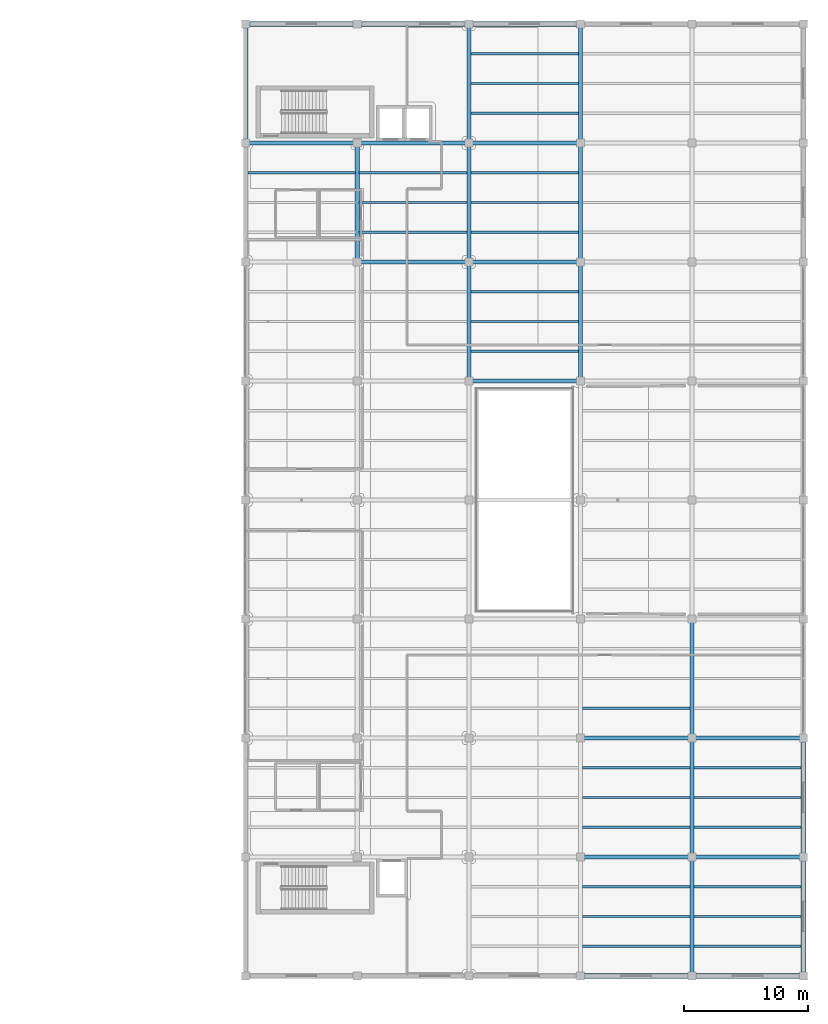
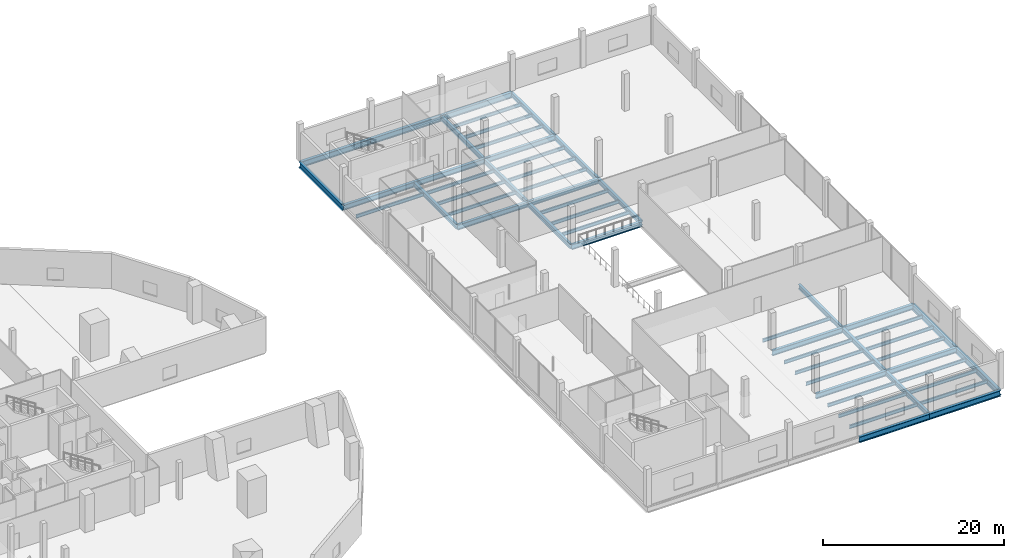
# One storey, part 14 of 46: 54 beams.
"""IFC4 building model written with IfcOpenShell, lengths in metres."""

from ifc_helpers import new_model, si_unit, direction, frame, origin, origin_2d, place, context, subcontext, project, spatial, i_section, extrude, material, material_profile, profile_set, type_object, element, save


model = new_model("IFC4")

# Units and contexts
model_context = context("Model", 3, precision=1e-05, world=origin(), true_north=direction((0.0, 1.0)))
body_context = subcontext(model_context, "Body", "Model", "MODEL_VIEW")
ifc_project = project(units=[si_unit("LENGTHUNIT", "METRE"), si_unit("AREAUNIT", "SQUARE_METRE"), si_unit("VOLUMEUNIT", "CUBIC_METRE"), si_unit("PLANEANGLEUNIT", "RADIAN"), si_unit("MASSUNIT", "GRAM", prefix="KILO")], contexts=[model_context])

# Site, building, storey
site_placement = place(None, origin())
site = spatial("IfcSite", under=ifc_project, at=site_placement, CompositionType="ELEMENT")
building_placement = place(site_placement, origin())
building = spatial("IfcBuilding", under=site, at=building_placement, Name="Qorvath Tower", CompositionType="ELEMENT")
storey_placement = place(building_placement, frame((0.0, 0.0, 17.0)))
storey = spatial("IfcBuildingStorey", under=building, at=storey_placement, Name="L03", CompositionType="ELEMENT", Elevation=17.0)

# Beams
ifc_material_1 = material(Name="Steel ASTM A992 Grade 50", Category="steel")
ifc_material_profile_1 = material_profile(ifc_material_1, i_section(OverallWidth=0.381103515625, OverallDepth=0.77294921875, WebThickness=0.0166015625, FlangeThickness=0.027099609375, FilletRadius=0.01904296875, at=origin_2d()), Name="W30x173")
ifc_profile_set_1 = profile_set([ifc_material_profile_1], Name="Steel ASTM A992 Grade 50")
beam_type_1 = type_object("IfcBeamType", Name="BM-FG3", PredefinedType="BEAM", material=ifc_profile_set_1)
for number, where, z_axis, x_axis, name in (
    (1, (59.39990234375, -38.39990234375, -0.646484375), (1.0, 0.0, 0.0), (0.0, 1.0, 0.0), "Library E-W Girder L03-1-4"),
    (2, (68.39990234375, -38.39990234375, -0.646484375), (1.0, 0.0, 0.0), (0.0, 1.0, 0.0), "Library E-W Girder L03-1-5"),
    (3, (32.39990234375, 38.39990234375, -0.646484375), (1.0, 0.0, 0.0), (0.0, 1.0, 0.0), "Library E-W Girder L03-9-1"),
    (4, (41.39990234375, 38.39990234375, -0.646484375), (1.0, 0.0, 0.0), (0.0, 1.0, 0.0), "Library E-W Girder L03-9-2"),
    (5, (50.39990234375, 38.39990234375, -0.646484375), (1.0, 0.0, 0.0), (0.0, 1.0, 0.0), "Library E-W Girder L03-9-3"),
):
    element("IfcBeam", number, at=place(storey_placement, frame(where, z_axis=z_axis, x_axis=x_axis)), inside=storey, type_object=beam_type_1, Name=name, PredefinedType="BEAM", context=body_context, shape_type="SweptSolid", body=[
        extrude(i_section(OverallWidth=0.381103515625, OverallDepth=0.77294921875, WebThickness=0.0166015625, FlangeThickness=0.027099609375, FilletRadius=0.01904296875, at=origin_2d()), origin(), (0.0, 0.0, 1.0), 9.0),
    ])
for number, where, z_axis, x_axis, name in (
    (6, (32.39990234375, 28.800048828125, -0.646484375), (0.0, 1.0, 0.0), (-1.0, 0.0, 0.0), "Library N-S Girder L03-1-8"),
    (7, (77.39990234375, -38.39990234375, -0.646484375), (0.0, 1.0, 0.0), (-1.0, 0.0, 0.0), "Library N-S Girder L03-6-1"),
):
    element("IfcBeam", number, at=place(storey_placement, frame(where, z_axis=z_axis, x_axis=x_axis)), inside=storey, type_object=beam_type_1, Name=name, PredefinedType="BEAM", context=body_context, shape_type="SweptSolid", body=[
        extrude(i_section(OverallWidth=0.381103515625, OverallDepth=0.77294921875, WebThickness=0.0166015625, FlangeThickness=0.027099609375, FilletRadius=0.01904296875, at=origin_2d()), origin(), (0.0, 0.0, 1.0), 9.599853515625),
    ])
beam_1_placement = place(storey_placement, frame((77.39990234375, -28.800048828125, -0.646484375), z_axis=(0.0, 1.0, 0.0), x_axis=(-1.0, 0.0, 0.0)))
element("IfcBeam", 8, at=beam_1_placement, inside=storey, type_object=beam_type_1, Name="Library N-S Girder L03-6-2", PredefinedType="BEAM", context=body_context, shape_type="SweptSolid", body=[
    extrude(i_section(OverallWidth=0.381103515625, OverallDepth=0.77294921875, WebThickness=0.0166015625, FlangeThickness=0.027099609375, FilletRadius=0.01904296875, at=origin_2d()), origin(), (0.0, 0.0, 1.0), 9.60009765625),
])
ifc_material_2 = material(Name="Steel ASTM A992 Grade 50", Category="steel")
ifc_material_profile_2 = material_profile(ifc_material_2, i_section(OverallWidth=0.35595703125, OverallDepth=0.696044921875, WebThickness=0.015380859375, FlangeThickness=0.02490234375, FilletRadius=0.01806640625, at=origin_2d()), Name="W27x146")
ifc_profile_set_2 = profile_set([ifc_material_profile_2], Name="Steel ASTM A992 Grade 50")
beam_type_2 = type_object("IfcBeamType", Name="BM-FG4", PredefinedType="BEAM", material=ifc_profile_set_2)
for number, where, z_axis, x_axis, name in (
    (9, (59.39990234375, -28.800048828125, -0.60791015625), (1.0, 0.0, 0.0), (0.0, 1.0, 0.0), "Library E-W Girder L03-2-4"),
    (10, (68.39990234375, -28.800048828125, -0.60791015625), (1.0, 0.0, 0.0), (0.0, 1.0, 0.0), "Library E-W Girder L03-2-5"),
    (11, (59.39990234375, -19.199951171875, -0.60791015625), (1.0, 0.0, 0.0), (0.0, 1.0, 0.0), "Library E-W Girder L03-3-4"),
    (12, (68.39990234375, -19.199951171875, -0.60791015625), (1.0, 0.0, 0.0), (0.0, 1.0, 0.0), "Library E-W Girder L03-3-5"),
    (13, (50.39990234375, 9.60009765625, -0.60791015625), (1.0, 0.0, 0.0), (0.0, 1.0, 0.0), "Library E-W Girder L03-6-3"),
    (14, (41.39990234375, 19.199951171875, -0.60791015625), (1.0, 0.0, 0.0), (0.0, 1.0, 0.0), "Library E-W Girder L03-7-2"),
    (15, (50.39990234375, 19.199951171875, -0.60791015625), (1.0, 0.0, 0.0), (0.0, 1.0, 0.0), "Library E-W Girder L03-7-3"),
    (16, (32.39990234375, 28.800048828125, -0.60791015625), (1.0, 0.0, 0.0), (0.0, 1.0, 0.0), "Library E-W Girder L03-8-1"),
    (17, (41.39990234375, 28.800048828125, -0.60791015625), (1.0, 0.0, 0.0), (0.0, 1.0, 0.0), "Library E-W Girder L03-8-2"),
    (18, (50.39990234375, 28.800048828125, -0.60791015625), (1.0, 0.0, 0.0), (0.0, 1.0, 0.0), "Library E-W Girder L03-8-3"),
):
    element("IfcBeam", number, at=place(storey_placement, frame(where, z_axis=z_axis, x_axis=x_axis)), inside=storey, type_object=beam_type_2, Name=name, PredefinedType="BEAM", context=body_context, shape_type="SweptSolid", body=[
        extrude(i_section(OverallWidth=0.35595703125, OverallDepth=0.696044921875, WebThickness=0.015380859375, FlangeThickness=0.02490234375, FilletRadius=0.01806640625, at=origin_2d()), origin(), (0.0, 0.0, 1.0), 9.0),
    ])
ifc_material_3 = material(Name="Steel ASTM A992 Grade 50", Category="steel")
ifc_material_profile_3 = material_profile(ifc_material_3, i_section(OverallWidth=0.324951171875, OverallDepth=0.615966796875, WebThickness=0.013916015625, FlangeThickness=0.021484375, FilletRadius=0.01611328125, at=origin_2d()), Name="W24x117")
ifc_profile_set_3 = profile_set([ifc_material_profile_3], Name="Steel ASTM A992 Grade 50")
beam_type_3 = type_object("IfcBeamType", Name="BM-FG5", PredefinedType="BEAM", material=ifc_profile_set_3)
beam_2_placement = place(storey_placement, frame((41.39990234375, 19.199951171875, -0.568115234375), z_axis=(0.0, 1.0, 0.0), x_axis=(-1.0, 0.0, 0.0)))
element("IfcBeam", 19, at=beam_2_placement, inside=storey, type_object=beam_type_3, Name="Library N-S Girder L03-2-7", PredefinedType="BEAM", context=body_context, shape_type="SweptSolid", body=[
    extrude(i_section(OverallWidth=0.324951171875, OverallDepth=0.615966796875, WebThickness=0.013916015625, FlangeThickness=0.021484375, FilletRadius=0.01611328125, at=origin_2d()), origin(), (0.0, 0.0, 1.0), 9.60009765625),
])
beam_3_placement = place(storey_placement, frame((50.39990234375, 9.60009765625, -0.568115234375), z_axis=(0.0, 1.0, 0.0), x_axis=(-1.0, 0.0, 0.0)))
element("IfcBeam", 20, at=beam_3_placement, inside=storey, type_object=beam_type_3, Name="Library N-S Girder L03-3-6", PredefinedType="BEAM", context=body_context, shape_type="SweptSolid", body=[
    extrude(i_section(OverallWidth=0.324951171875, OverallDepth=0.615966796875, WebThickness=0.013916015625, FlangeThickness=0.021484375, FilletRadius=0.01611328125, at=origin_2d()), origin(), (0.0, 0.0, 1.0), 9.599853515625),
])
beam_4_placement = place(storey_placement, frame((50.39990234375, 19.199951171875, -0.568115234375), z_axis=(0.0, 1.0, 0.0), x_axis=(-1.0, 0.0, 0.0)))
element("IfcBeam", 21, at=beam_4_placement, inside=storey, type_object=beam_type_3, Name="Library N-S Girder L03-3-7", PredefinedType="BEAM", context=body_context, shape_type="SweptSolid", body=[
    extrude(i_section(OverallWidth=0.324951171875, OverallDepth=0.615966796875, WebThickness=0.013916015625, FlangeThickness=0.021484375, FilletRadius=0.01611328125, at=origin_2d()), origin(), (0.0, 0.0, 1.0), 9.60009765625),
])
for number, where, z_axis, x_axis, name in (
    (22, (50.39990234375, 28.800048828125, -0.568115234375), (0.0, 1.0, 0.0), (-1.0, 0.0, 0.0), "Library N-S Girder L03-3-8"),
    (23, (59.39990234375, 9.60009765625, -0.568115234375), (0.0, 1.0, 0.0), (-1.0, 0.0, 0.0), "Library N-S Girder L03-4-6"),
):
    element("IfcBeam", number, at=place(storey_placement, frame(where, z_axis=z_axis, x_axis=x_axis)), inside=storey, type_object=beam_type_3, Name=name, PredefinedType="BEAM", context=body_context, shape_type="SweptSolid", body=[
        extrude(i_section(OverallWidth=0.324951171875, OverallDepth=0.615966796875, WebThickness=0.013916015625, FlangeThickness=0.021484375, FilletRadius=0.01611328125, at=origin_2d()), origin(), (0.0, 0.0, 1.0), 9.599853515625),
    ])
beam_5_placement = place(storey_placement, frame((59.39990234375, 19.199951171875, -0.568115234375), z_axis=(0.0, 1.0, 0.0), x_axis=(-1.0, 0.0, 0.0)))
element("IfcBeam", 24, at=beam_5_placement, inside=storey, type_object=beam_type_3, Name="Library N-S Girder L03-4-7", PredefinedType="BEAM", context=body_context, shape_type="SweptSolid", body=[
    extrude(i_section(OverallWidth=0.324951171875, OverallDepth=0.615966796875, WebThickness=0.013916015625, FlangeThickness=0.021484375, FilletRadius=0.01611328125, at=origin_2d()), origin(), (0.0, 0.0, 1.0), 9.60009765625),
])
for number, where, z_axis, x_axis, name in (
    (25, (59.39990234375, 28.800048828125, -0.568115234375), (0.0, 1.0, 0.0), (-1.0, 0.0, 0.0), "Library N-S Girder L03-4-8"),
    (26, (68.39990234375, -38.39990234375, -0.568115234375), (0.0, 1.0, 0.0), (-1.0, 0.0, 0.0), "Library N-S Girder L03-5-1"),
):
    element("IfcBeam", number, at=place(storey_placement, frame(where, z_axis=z_axis, x_axis=x_axis)), inside=storey, type_object=beam_type_3, Name=name, PredefinedType="BEAM", context=body_context, shape_type="SweptSolid", body=[
        extrude(i_section(OverallWidth=0.324951171875, OverallDepth=0.615966796875, WebThickness=0.013916015625, FlangeThickness=0.021484375, FilletRadius=0.01611328125, at=origin_2d()), origin(), (0.0, 0.0, 1.0), 9.599853515625),
    ])
beam_6_placement = place(storey_placement, frame((68.39990234375, -28.800048828125, -0.568115234375), z_axis=(0.0, 1.0, 0.0), x_axis=(-1.0, 0.0, 0.0)))
element("IfcBeam", 27, at=beam_6_placement, inside=storey, type_object=beam_type_3, Name="Library N-S Girder L03-5-2", PredefinedType="BEAM", context=body_context, shape_type="SweptSolid", body=[
    extrude(i_section(OverallWidth=0.324951171875, OverallDepth=0.615966796875, WebThickness=0.013916015625, FlangeThickness=0.021484375, FilletRadius=0.01611328125, at=origin_2d()), origin(), (0.0, 0.0, 1.0), 9.60009765625),
])
beam_7_placement = place(storey_placement, frame((68.39990234375, -19.199951171875, -0.568115234375), z_axis=(0.0, 1.0, 0.0), x_axis=(-1.0, 0.0, 0.0)))
element("IfcBeam", 28, at=beam_7_placement, inside=storey, type_object=beam_type_3, Name="Library N-S Girder L03-5-3", PredefinedType="BEAM", context=body_context, shape_type="SweptSolid", body=[
    extrude(i_section(OverallWidth=0.324951171875, OverallDepth=0.615966796875, WebThickness=0.013916015625, FlangeThickness=0.021484375, FilletRadius=0.01611328125, at=origin_2d()), origin(), (0.0, 0.0, 1.0), 9.599853515625),
])
ifc_material_4 = material(Name="Steel ASTM A992 Grade 50", Category="steel")
ifc_material_profile_4 = material_profile(ifc_material_4, i_section(OverallWidth=0.18994140625, OverallDepth=0.45703125, WebThickness=0.009033203125, FlangeThickness=0.014404296875, FilletRadius=0.011962890625, at=origin_2d()), Name="W18x50")
ifc_profile_set_4 = profile_set([ifc_material_profile_4], Name="Steel ASTM A992 Grade 50")
beam_type_4 = type_object("IfcBeamType", Name="BM-FJ2", PredefinedType="JOIST", material=ifc_profile_set_4)
beam_8_placement = place(storey_placement, frame((59.560546875, -36.0, -0.488525390625), z_axis=(1.0, 0.0, 0.0), x_axis=(0.0, 1.0, 0.0)))
element("IfcBeam", 29, at=beam_8_placement, inside=storey, type_object=beam_type_4, Name="Library Stack Joist L03-1.1-4", PredefinedType="JOIST", context=body_context, shape_type="SweptSolid", body=[
    extrude(i_section(OverallWidth=0.18994140625, OverallDepth=0.45703125, WebThickness=0.009033203125, FlangeThickness=0.014404296875, FilletRadius=0.011962890625, at=origin_2d()), origin(), (0.0, 0.0, 1.0), 8.678955078125),
])
beam_9_placement = place(storey_placement, frame((68.560546875, -36.0, -0.488525390625), z_axis=(1.0, 0.0, 0.0), x_axis=(0.0, 1.0, 0.0)))
element("IfcBeam", 30, at=beam_9_placement, inside=storey, type_object=beam_type_4, Name="Library Stack Joist L03-1.1-5", PredefinedType="JOIST", context=body_context, shape_type="SweptSolid", body=[
    extrude(i_section(OverallWidth=0.18994140625, OverallDepth=0.45703125, WebThickness=0.009033203125, FlangeThickness=0.014404296875, FilletRadius=0.011962890625, at=origin_2d()), origin(), (0.0, 0.0, 1.0), 8.65087890625),
])
beam_10_placement = place(storey_placement, frame((59.560546875, -33.60009765625, -0.488525390625), z_axis=(1.0, 0.0, 0.0), x_axis=(0.0, 1.0, 0.0)))
element("IfcBeam", 31, at=beam_10_placement, inside=storey, type_object=beam_type_4, Name="Library Stack Joist L03-1.2-4", PredefinedType="JOIST", context=body_context, shape_type="SweptSolid", body=[
    extrude(i_section(OverallWidth=0.18994140625, OverallDepth=0.45703125, WebThickness=0.009033203125, FlangeThickness=0.014404296875, FilletRadius=0.011962890625, at=origin_2d()), origin(), (0.0, 0.0, 1.0), 8.678955078125),
])
beam_11_placement = place(storey_placement, frame((68.560546875, -33.60009765625, -0.488525390625), z_axis=(1.0, 0.0, 0.0), x_axis=(0.0, 1.0, 0.0)))
element("IfcBeam", 32, at=beam_11_placement, inside=storey, type_object=beam_type_4, Name="Library Stack Joist L03-1.2-5", PredefinedType="JOIST", context=body_context, shape_type="SweptSolid", body=[
    extrude(i_section(OverallWidth=0.18994140625, OverallDepth=0.45703125, WebThickness=0.009033203125, FlangeThickness=0.014404296875, FilletRadius=0.011962890625, at=origin_2d()), origin(), (0.0, 0.0, 1.0), 8.65087890625),
])
beam_12_placement = place(storey_placement, frame((59.560546875, -31.199951171875, -0.488525390625), z_axis=(1.0, 0.0, 0.0), x_axis=(0.0, 1.0, 0.0)))
element("IfcBeam", 33, at=beam_12_placement, inside=storey, type_object=beam_type_4, Name="Library Stack Joist L03-1.3-4", PredefinedType="JOIST", context=body_context, shape_type="SweptSolid", body=[
    extrude(i_section(OverallWidth=0.18994140625, OverallDepth=0.45703125, WebThickness=0.009033203125, FlangeThickness=0.014404296875, FilletRadius=0.011962890625, at=origin_2d()), origin(), (0.0, 0.0, 1.0), 8.678955078125),
])
beam_13_placement = place(storey_placement, frame((68.560546875, -31.199951171875, -0.488525390625), z_axis=(1.0, 0.0, 0.0), x_axis=(0.0, 1.0, 0.0)))
element("IfcBeam", 34, at=beam_13_placement, inside=storey, type_object=beam_type_4, Name="Library Stack Joist L03-1.3-5", PredefinedType="JOIST", context=body_context, shape_type="SweptSolid", body=[
    extrude(i_section(OverallWidth=0.18994140625, OverallDepth=0.45703125, WebThickness=0.009033203125, FlangeThickness=0.014404296875, FilletRadius=0.011962890625, at=origin_2d()), origin(), (0.0, 0.0, 1.0), 8.65087890625),
])
beam_14_placement = place(storey_placement, frame((59.560546875, -26.39990234375, -0.488525390625), z_axis=(1.0, 0.0, 0.0), x_axis=(0.0, 1.0, 0.0)))
element("IfcBeam", 35, at=beam_14_placement, inside=storey, type_object=beam_type_4, Name="Library Stack Joist L03-2.1-4", PredefinedType="JOIST", context=body_context, shape_type="SweptSolid", body=[
    extrude(i_section(OverallWidth=0.18994140625, OverallDepth=0.45703125, WebThickness=0.009033203125, FlangeThickness=0.014404296875, FilletRadius=0.011962890625, at=origin_2d()), origin(), (0.0, 0.0, 1.0), 8.678955078125),
])
beam_15_placement = place(storey_placement, frame((68.560546875, -26.39990234375, -0.488525390625), z_axis=(1.0, 0.0, 0.0), x_axis=(0.0, 1.0, 0.0)))
element("IfcBeam", 36, at=beam_15_placement, inside=storey, type_object=beam_type_4, Name="Library Stack Joist L03-2.1-5", PredefinedType="JOIST", context=body_context, shape_type="SweptSolid", body=[
    extrude(i_section(OverallWidth=0.18994140625, OverallDepth=0.45703125, WebThickness=0.009033203125, FlangeThickness=0.014404296875, FilletRadius=0.011962890625, at=origin_2d()), origin(), (0.0, 0.0, 1.0), 8.65087890625),
])
beam_16_placement = place(storey_placement, frame((59.560546875, -24.0, -0.488525390625), z_axis=(1.0, 0.0, 0.0), x_axis=(0.0, 1.0, 0.0)))
element("IfcBeam", 37, at=beam_16_placement, inside=storey, type_object=beam_type_4, Name="Library Stack Joist L03-2.2-4", PredefinedType="JOIST", context=body_context, shape_type="SweptSolid", body=[
    extrude(i_section(OverallWidth=0.18994140625, OverallDepth=0.45703125, WebThickness=0.009033203125, FlangeThickness=0.014404296875, FilletRadius=0.011962890625, at=origin_2d()), origin(), (0.0, 0.0, 1.0), 8.678955078125),
])
beam_17_placement = place(storey_placement, frame((68.560546875, -24.0, -0.488525390625), z_axis=(1.0, 0.0, 0.0), x_axis=(0.0, 1.0, 0.0)))
element("IfcBeam", 38, at=beam_17_placement, inside=storey, type_object=beam_type_4, Name="Library Stack Joist L03-2.2-5", PredefinedType="JOIST", context=body_context, shape_type="SweptSolid", body=[
    extrude(i_section(OverallWidth=0.18994140625, OverallDepth=0.45703125, WebThickness=0.009033203125, FlangeThickness=0.014404296875, FilletRadius=0.011962890625, at=origin_2d()), origin(), (0.0, 0.0, 1.0), 8.65087890625),
])
beam_18_placement = place(storey_placement, frame((59.560546875, -21.60009765625, -0.488525390625), z_axis=(1.0, 0.0, 0.0), x_axis=(0.0, 1.0, 0.0)))
element("IfcBeam", 39, at=beam_18_placement, inside=storey, type_object=beam_type_4, Name="Library Stack Joist L03-2.3-4", PredefinedType="JOIST", context=body_context, shape_type="SweptSolid", body=[
    extrude(i_section(OverallWidth=0.18994140625, OverallDepth=0.45703125, WebThickness=0.009033203125, FlangeThickness=0.014404296875, FilletRadius=0.011962890625, at=origin_2d()), origin(), (0.0, 0.0, 1.0), 8.678955078125),
])
beam_19_placement = place(storey_placement, frame((68.560546875, -21.60009765625, -0.488525390625), z_axis=(1.0, 0.0, 0.0), x_axis=(0.0, 1.0, 0.0)))
element("IfcBeam", 40, at=beam_19_placement, inside=storey, type_object=beam_type_4, Name="Library Stack Joist L03-2.3-5", PredefinedType="JOIST", context=body_context, shape_type="SweptSolid", body=[
    extrude(i_section(OverallWidth=0.18994140625, OverallDepth=0.45703125, WebThickness=0.009033203125, FlangeThickness=0.014404296875, FilletRadius=0.011962890625, at=origin_2d()), origin(), (0.0, 0.0, 1.0), 8.65087890625),
])
for number, where, z_axis, x_axis, name in (
    (41, (59.560546875, -16.800048828125, -0.488525390625), (1.0, 0.0, 0.0), (0.0, 1.0, 0.0), "Library Stack Joist L03-3.1-4"),
    (42, (50.560546875, 12.0, -0.488525390625), (1.0, 0.0, 0.0), (0.0, 1.0, 0.0), "Library Stack Joist L03-6.1-3"),
    (43, (50.560546875, 14.39990234375, -0.488525390625), (1.0, 0.0, 0.0), (0.0, 1.0, 0.0), "Library Stack Joist L03-6.2-3"),
    (44, (50.560546875, 16.800048828125, -0.488525390625), (1.0, 0.0, 0.0), (0.0, 1.0, 0.0), "Library Stack Joist L03-6.3-3"),
    (45, (41.560546875, 21.60009765625, -0.488525390625), (1.0, 0.0, 0.0), (0.0, 1.0, 0.0), "Library Stack Joist L03-7.1-2"),
    (46, (50.560546875, 21.60009765625, -0.488525390625), (1.0, 0.0, 0.0), (0.0, 1.0, 0.0), "Library Stack Joist L03-7.1-3"),
    (47, (41.560546875, 24.0, -0.488525390625), (1.0, 0.0, 0.0), (0.0, 1.0, 0.0), "Library Stack Joist L03-7.2-2"),
    (48, (50.560546875, 24.0, -0.488525390625), (1.0, 0.0, 0.0), (0.0, 1.0, 0.0), "Library Stack Joist L03-7.2-3"),
):
    element("IfcBeam", number, at=place(storey_placement, frame(where, z_axis=z_axis, x_axis=x_axis)), inside=storey, type_object=beam_type_4, Name=name, PredefinedType="JOIST", context=body_context, shape_type="SweptSolid", body=[
        extrude(i_section(OverallWidth=0.18994140625, OverallDepth=0.45703125, WebThickness=0.009033203125, FlangeThickness=0.014404296875, FilletRadius=0.011962890625, at=origin_2d()), origin(), (0.0, 0.0, 1.0), 8.678955078125),
    ])
beam_20_placement = place(storey_placement, frame((32.58837890625, 26.39990234375, -0.488525390625), z_axis=(1.0, 0.0, 0.0), x_axis=(0.0, 1.0, 0.0)))
element("IfcBeam", 49, at=beam_20_placement, inside=storey, type_object=beam_type_4, Name="Library Stack Joist L03-7.3-1", PredefinedType="JOIST", context=body_context, shape_type="SweptSolid", body=[
    extrude(i_section(OverallWidth=0.18994140625, OverallDepth=0.45703125, WebThickness=0.009033203125, FlangeThickness=0.014404296875, FilletRadius=0.011962890625, at=origin_2d()), origin(), (0.0, 0.0, 1.0), 8.651123046875),
])
for number, where, z_axis, x_axis, name in (
    (50, (41.560546875, 26.39990234375, -0.488525390625), (1.0, 0.0, 0.0), (0.0, 1.0, 0.0), "Library Stack Joist L03-7.3-2"),
    (51, (50.560546875, 26.39990234375, -0.488525390625), (1.0, 0.0, 0.0), (0.0, 1.0, 0.0), "Library Stack Joist L03-7.3-3"),
    (52, (50.560546875, 31.199951171875, -0.488525390625), (1.0, 0.0, 0.0), (0.0, 1.0, 0.0), "Library Stack Joist L03-8.1-3"),
    (53, (50.560546875, 33.60009765625, -0.488525390625), (1.0, 0.0, 0.0), (0.0, 1.0, 0.0), "Library Stack Joist L03-8.2-3"),
    (54, (50.560546875, 36.0, -0.488525390625), (1.0, 0.0, 0.0), (0.0, 1.0, 0.0), "Library Stack Joist L03-8.3-3"),
):
    element("IfcBeam", number, at=place(storey_placement, frame(where, z_axis=z_axis, x_axis=x_axis)), inside=storey, type_object=beam_type_4, Name=name, PredefinedType="JOIST", context=body_context, shape_type="SweptSolid", body=[
        extrude(i_section(OverallWidth=0.18994140625, OverallDepth=0.45703125, WebThickness=0.009033203125, FlangeThickness=0.014404296875, FilletRadius=0.011962890625, at=origin_2d()), origin(), (0.0, 0.0, 1.0), 8.678955078125),
    ])

save(model, "model.ifc")
